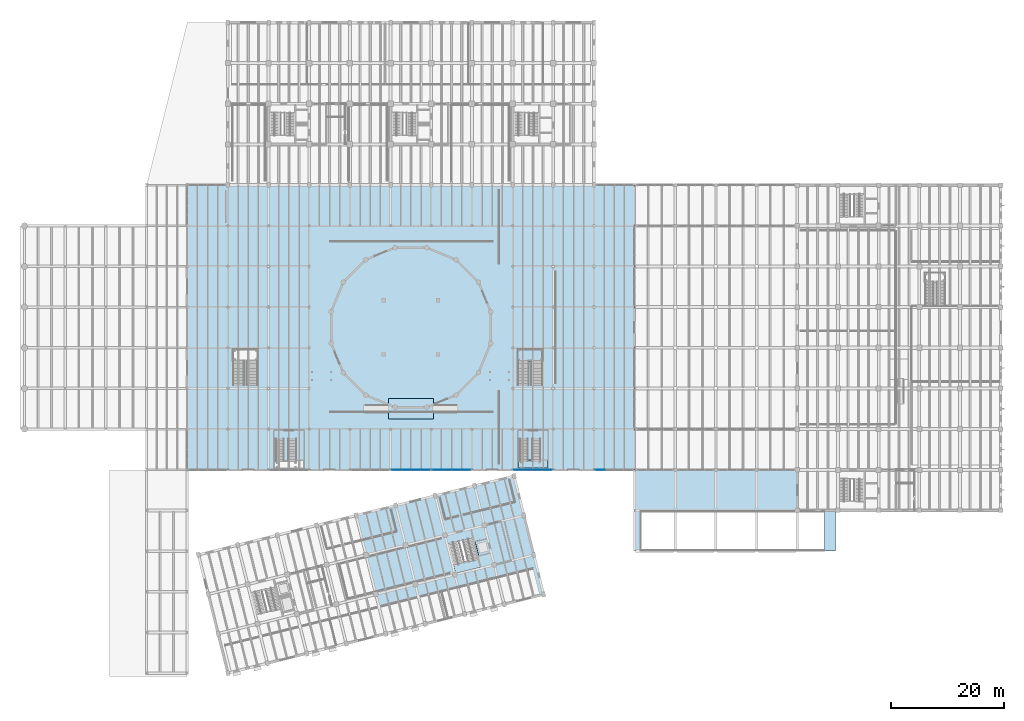
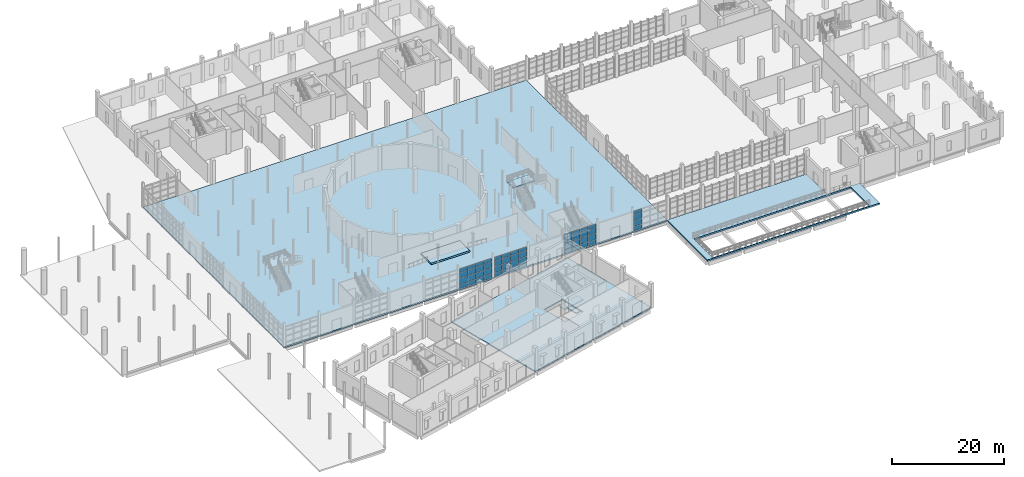
# One storey, part 51 of 79: 52 plates, 8 slabs, 7 elements without a shape of their own.
"""IFC4 building model written with IfcOpenShell, lengths in metres."""

from ifc_helpers import new_model, si_unit, direction, frame, frame_2d, origin, place, context, subcontext, project, spatial, polyline, rectangle, outline, extrude, material, layer, layer_set, type_object, element, aggregate, save


model = new_model("IFC4")

# Units and contexts
model_context = context("Model", 3, precision=1e-05, world=origin(), true_north=direction((0.0, 1.0)))
body_context = subcontext(model_context, "Body", "Model", "MODEL_VIEW")
ifc_project = project(units=[si_unit("LENGTHUNIT", "METRE"), si_unit("AREAUNIT", "SQUARE_METRE"), si_unit("VOLUMEUNIT", "CUBIC_METRE"), si_unit("PLANEANGLEUNIT", "RADIAN"), si_unit("MASSUNIT", "GRAM", prefix="KILO")], contexts=[model_context])

# Site, building, storey
site_placement = place(None, origin())
site = spatial("IfcSite", under=ifc_project, at=site_placement, CompositionType="ELEMENT")
building_placement = place(site_placement, origin())
building = spatial("IfcBuilding", under=site, at=building_placement, Name="Qiaolan Assembly House", CompositionType="ELEMENT")
storey_placement = place(building_placement, origin())
storey = spatial("IfcBuildingStorey", under=building, at=storey_placement, Name="L00", CompositionType="ELEMENT", Elevation=0.0)

# Curtain wall, plates
ifc_material_1 = material(Name="Anodised bronze aluminium", Category="aluminium")
curtain_wall_type = type_object("IfcCurtainWallType", Name="CW-HALL-MAIN-540", PredefinedType="NOTDEFINED", material=ifc_material_1)
curtain_wall_1_placement = place(storey_placement, origin())
curtain_wall_1 = element("IfcCurtainWall", 1, at=curtain_wall_1_placement, inside=storey, type_object=curtain_wall_type, Name="CW-01 Hall South plaza curtain wall L00-6", PredefinedType="NOTDEFINED")
ifc_material_2 = material(Name="Low-E double insulating glass", Category="glass")
ifc_layer_1 = layer(ifc_material_2, 0.035888671875)
ifc_layer_set_1 = layer_set([ifc_layer_1], Name="Low-E double insulating glass")
plate_type = type_object("IfcPlateType", Name="CW-HALL-MAIN-540-PNL", PredefinedType="CURTAIN_PANEL", material=ifc_layer_set_1)
plate_1_placement = place(storey_placement, frame((65.087890625, 36.0, 0.06298828125), z_axis=(0.0, 0.0, 1.0), x_axis=(1.0, 0.0, 0.0)))
plate_1 = element("IfcPlate", 2, at=plate_1_placement, type_object=plate_type, Name="GL-01 glazing panel CW-HALL-S-L00-05-1", PredefinedType="CURTAIN_PANEL", context=body_context, shape_type="SweptSolid", body=[
    extrude(rectangle(XDim=1.59912109375, YDim=0.035888671875, at=frame_2d((0.799560546875, 0.0))), origin(), (0.0, 0.0, 1.0), 0.85400390625),
])
plate_2_placement = place(storey_placement, frame((65.087890625, 36.0, 0.98291015625), z_axis=(0.0, 0.0, 1.0), x_axis=(1.0, 0.0, 0.0)))
plate_2 = element("IfcPlate", 3, at=plate_2_placement, type_object=plate_type, Name="GL-01 glazing panel CW-HALL-S-L00-05-2", PredefinedType="CURTAIN_PANEL", context=body_context, shape_type="SweptSolid", body=[
    extrude(rectangle(XDim=1.59912109375, YDim=0.035888671875, at=frame_2d((0.799560546875, 0.0))), origin(), (0.0, 0.0, 1.0), 1.27197265625),
])
plate_3_placement = place(storey_placement, frame((65.087890625, 36.0, 2.321044921875), z_axis=(0.0, 0.0, 1.0), x_axis=(1.0, 0.0, 0.0)))
plate_3 = element("IfcPlate", 4, at=plate_3_placement, type_object=plate_type, Name="GL-01 glazing panel CW-HALL-S-L00-05-3", PredefinedType="CURTAIN_PANEL", context=body_context, shape_type="SweptSolid", body=[
    extrude(rectangle(XDim=1.59912109375, YDim=0.035888671875, at=frame_2d((0.799560546875, 0.0))), origin(), (0.0, 0.0, 1.0), 1.196044921875),
])
plate_4_placement = place(storey_placement, frame((65.087890625, 36.0, 3.5830078125), z_axis=(0.0, 0.0, 1.0), x_axis=(1.0, 0.0, 0.0)))
plate_4 = element("IfcPlate", 5, at=plate_4_placement, type_object=plate_type, Name="GL-01 glazing panel CW-HALL-S-L00-05-4", PredefinedType="CURTAIN_PANEL", context=body_context, shape_type="SweptSolid", body=[
    extrude(rectangle(XDim=1.59912109375, YDim=0.035888671875, at=frame_2d((0.799560546875, 0.0))), origin(), (0.0, 0.0, 1.0), 0.75390625),
])
plate_5_placement = place(storey_placement, frame((66.762939453125, 36.0, 0.06298828125), z_axis=(0.0, 0.0, 1.0), x_axis=(1.0, 0.0, 0.0)))
plate_5 = element("IfcPlate", 6, at=plate_5_placement, type_object=plate_type, Name="GL-01 glazing panel CW-HALL-S-L00-05-5", PredefinedType="CURTAIN_PANEL", context=body_context, shape_type="SweptSolid", body=[
    extrude(rectangle(XDim=1.59912109375, YDim=0.035888671875, at=frame_2d((0.799560546875, 0.0))), origin(), (0.0, 0.0, 1.0), 0.85400390625),
])
plate_6_placement = place(storey_placement, frame((66.762939453125, 36.0, 0.98291015625), z_axis=(0.0, 0.0, 1.0), x_axis=(1.0, 0.0, 0.0)))
plate_6 = element("IfcPlate", 7, at=plate_6_placement, type_object=plate_type, Name="GL-01 glazing panel CW-HALL-S-L00-05-6", PredefinedType="CURTAIN_PANEL", context=body_context, shape_type="SweptSolid", body=[
    extrude(rectangle(XDim=1.59912109375, YDim=0.035888671875, at=frame_2d((0.799560546875, 0.0))), origin(), (0.0, 0.0, 1.0), 1.27197265625),
])
plate_7_placement = place(storey_placement, frame((66.762939453125, 36.0, 2.321044921875), z_axis=(0.0, 0.0, 1.0), x_axis=(1.0, 0.0, 0.0)))
plate_7 = element("IfcPlate", 8, at=plate_7_placement, type_object=plate_type, Name="GL-01 glazing panel CW-HALL-S-L00-05-7", PredefinedType="CURTAIN_PANEL", context=body_context, shape_type="SweptSolid", body=[
    extrude(rectangle(XDim=1.59912109375, YDim=0.035888671875, at=frame_2d((0.799560546875, 0.0))), origin(), (0.0, 0.0, 1.0), 1.196044921875),
])
plate_8_placement = place(storey_placement, frame((66.762939453125, 36.0, 3.5830078125), z_axis=(0.0, 0.0, 1.0), x_axis=(1.0, 0.0, 0.0)))
plate_8 = element("IfcPlate", 9, at=plate_8_placement, type_object=plate_type, Name="GL-01 glazing panel CW-HALL-S-L00-05-8", PredefinedType="CURTAIN_PANEL", context=body_context, shape_type="SweptSolid", body=[
    extrude(rectangle(XDim=1.59912109375, YDim=0.035888671875, at=frame_2d((0.799560546875, 0.0))), origin(), (0.0, 0.0, 1.0), 0.75390625),
])
plate_9_placement = place(storey_placement, frame((68.43798828125, 36.0, 0.06298828125), z_axis=(0.0, 0.0, 1.0), x_axis=(1.0, 0.0, 0.0)))
plate_9 = element("IfcPlate", 10, at=plate_9_placement, type_object=plate_type, Name="GL-01 glazing panel CW-HALL-S-L00-05-9", PredefinedType="CURTAIN_PANEL", context=body_context, shape_type="SweptSolid", body=[
    extrude(rectangle(XDim=1.59912109375, YDim=0.035888671875, at=frame_2d((0.799560546875, 0.0))), origin(), (0.0, 0.0, 1.0), 0.85400390625),
])
plate_10_placement = place(storey_placement, frame((68.43798828125, 36.0, 0.98291015625), z_axis=(0.0, 0.0, 1.0), x_axis=(1.0, 0.0, 0.0)))
plate_10 = element("IfcPlate", 11, at=plate_10_placement, type_object=plate_type, Name="GL-01 glazing panel CW-HALL-S-L00-05-10", PredefinedType="CURTAIN_PANEL", context=body_context, shape_type="SweptSolid", body=[
    extrude(rectangle(XDim=1.59912109375, YDim=0.035888671875, at=frame_2d((0.799560546875, 0.0))), origin(), (0.0, 0.0, 1.0), 1.27197265625),
])
plate_11_placement = place(storey_placement, frame((68.43798828125, 36.0, 2.321044921875), z_axis=(0.0, 0.0, 1.0), x_axis=(1.0, 0.0, 0.0)))
plate_11 = element("IfcPlate", 12, at=plate_11_placement, type_object=plate_type, Name="GL-01 glazing panel CW-HALL-S-L00-05-11", PredefinedType="CURTAIN_PANEL", context=body_context, shape_type="SweptSolid", body=[
    extrude(rectangle(XDim=1.59912109375, YDim=0.035888671875, at=frame_2d((0.799560546875, 0.0))), origin(), (0.0, 0.0, 1.0), 1.196044921875),
])
plate_12_placement = place(storey_placement, frame((68.43798828125, 36.0, 3.5830078125), z_axis=(0.0, 0.0, 1.0), x_axis=(1.0, 0.0, 0.0)))
plate_12 = element("IfcPlate", 13, at=plate_12_placement, type_object=plate_type, Name="GL-01 glazing panel CW-HALL-S-L00-05-12", PredefinedType="CURTAIN_PANEL", context=body_context, shape_type="SweptSolid", body=[
    extrude(rectangle(XDim=1.59912109375, YDim=0.035888671875, at=frame_2d((0.799560546875, 0.0))), origin(), (0.0, 0.0, 1.0), 0.75390625),
])
plate_13_placement = place(storey_placement, frame((70.113037109375, 36.0, 0.06298828125), z_axis=(0.0, 0.0, 1.0), x_axis=(1.0, 0.0, 0.0)))
plate_13 = element("IfcPlate", 14, at=plate_13_placement, type_object=plate_type, Name="GL-01 glazing panel CW-HALL-S-L00-05-13", PredefinedType="CURTAIN_PANEL", context=body_context, shape_type="SweptSolid", body=[
    extrude(rectangle(XDim=1.598876953125, YDim=0.035888671875, at=frame_2d((0.79931640625, 0.0))), origin(), (0.0, 0.0, 1.0), 0.85400390625),
])
plate_14_placement = place(storey_placement, frame((70.113037109375, 36.0, 0.98291015625), z_axis=(0.0, 0.0, 1.0), x_axis=(1.0, 0.0, 0.0)))
plate_14 = element("IfcPlate", 15, at=plate_14_placement, type_object=plate_type, Name="GL-01 glazing panel CW-HALL-S-L00-05-14", PredefinedType="CURTAIN_PANEL", context=body_context, shape_type="SweptSolid", body=[
    extrude(rectangle(XDim=1.598876953125, YDim=0.035888671875, at=frame_2d((0.79931640625, 0.0))), origin(), (0.0, 0.0, 1.0), 1.27197265625),
])
plate_15_placement = place(storey_placement, frame((70.113037109375, 36.0, 2.321044921875), z_axis=(0.0, 0.0, 1.0), x_axis=(1.0, 0.0, 0.0)))
plate_15 = element("IfcPlate", 16, at=plate_15_placement, type_object=plate_type, Name="GL-01 glazing panel CW-HALL-S-L00-05-15", PredefinedType="CURTAIN_PANEL", context=body_context, shape_type="SweptSolid", body=[
    extrude(rectangle(XDim=1.598876953125, YDim=0.035888671875, at=frame_2d((0.79931640625, 0.0))), origin(), (0.0, 0.0, 1.0), 1.196044921875),
])
plate_16_placement = place(storey_placement, frame((70.113037109375, 36.0, 3.5830078125), z_axis=(0.0, 0.0, 1.0), x_axis=(1.0, 0.0, 0.0)))
plate_16 = element("IfcPlate", 17, at=plate_16_placement, type_object=plate_type, Name="GL-01 glazing panel CW-HALL-S-L00-05-16", PredefinedType="CURTAIN_PANEL", context=body_context, shape_type="SweptSolid", body=[
    extrude(rectangle(XDim=1.598876953125, YDim=0.035888671875, at=frame_2d((0.79931640625, 0.0))), origin(), (0.0, 0.0, 1.0), 0.75390625),
])
aggregate(curtain_wall_1, [plate_1, plate_2, plate_3, plate_4, plate_5, plate_6, plate_7, plate_8, plate_9, plate_10, plate_11, plate_12, plate_13, plate_14, plate_15, plate_16])

curtain_wall_2_placement = place(storey_placement, origin())
curtain_wall_2 = element("IfcCurtainWall", 18, at=curtain_wall_2_placement, inside=storey, type_object=curtain_wall_type, Name="CW-01 Hall South plaza curtain wall L00-7", PredefinedType="NOTDEFINED")
plate_17_placement = place(storey_placement, frame((72.2880859375, 36.0, 0.06298828125), z_axis=(0.0, 0.0, 1.0), x_axis=(1.0, 0.0, 0.0)))
plate_17 = element("IfcPlate", 19, at=plate_17_placement, type_object=plate_type, Name="GL-01 glazing panel CW-HALL-S-L00-06-1", PredefinedType="CURTAIN_PANEL", context=body_context, shape_type="SweptSolid", body=[
    extrude(rectangle(XDim=1.598876953125, YDim=0.035888671875, at=frame_2d((0.79931640625, 0.0))), origin(), (0.0, 0.0, 1.0), 0.85400390625),
])
plate_18_placement = place(storey_placement, frame((72.2880859375, 36.0, 0.98291015625), z_axis=(0.0, 0.0, 1.0), x_axis=(1.0, 0.0, 0.0)))
plate_18 = element("IfcPlate", 20, at=plate_18_placement, type_object=plate_type, Name="GL-01 glazing panel CW-HALL-S-L00-06-2", PredefinedType="CURTAIN_PANEL", context=body_context, shape_type="SweptSolid", body=[
    extrude(rectangle(XDim=1.598876953125, YDim=0.035888671875, at=frame_2d((0.79931640625, 0.0))), origin(), (0.0, 0.0, 1.0), 1.27197265625),
])
plate_19_placement = place(storey_placement, frame((72.2880859375, 36.0, 2.321044921875), z_axis=(0.0, 0.0, 1.0), x_axis=(1.0, 0.0, 0.0)))
plate_19 = element("IfcPlate", 21, at=plate_19_placement, type_object=plate_type, Name="GL-01 glazing panel CW-HALL-S-L00-06-3", PredefinedType="CURTAIN_PANEL", context=body_context, shape_type="SweptSolid", body=[
    extrude(rectangle(XDim=1.598876953125, YDim=0.035888671875, at=frame_2d((0.79931640625, 0.0))), origin(), (0.0, 0.0, 1.0), 1.196044921875),
])
plate_20_placement = place(storey_placement, frame((72.2880859375, 36.0, 3.5830078125), z_axis=(0.0, 0.0, 1.0), x_axis=(1.0, 0.0, 0.0)))
plate_20 = element("IfcPlate", 22, at=plate_20_placement, type_object=plate_type, Name="GL-01 glazing panel CW-HALL-S-L00-06-4", PredefinedType="CURTAIN_PANEL", context=body_context, shape_type="SweptSolid", body=[
    extrude(rectangle(XDim=1.598876953125, YDim=0.035888671875, at=frame_2d((0.79931640625, 0.0))), origin(), (0.0, 0.0, 1.0), 0.75390625),
])
plate_21_placement = place(storey_placement, frame((73.962890625, 36.0, 0.06298828125), z_axis=(0.0, 0.0, 1.0), x_axis=(1.0, 0.0, 0.0)))
plate_21 = element("IfcPlate", 23, at=plate_21_placement, type_object=plate_type, Name="GL-01 glazing panel CW-HALL-S-L00-06-5", PredefinedType="CURTAIN_PANEL", context=body_context, shape_type="SweptSolid", body=[
    extrude(rectangle(XDim=1.59912109375, YDim=0.035888671875, at=frame_2d((0.799560546875, 0.0))), origin(), (0.0, 0.0, 1.0), 0.85400390625),
])
plate_22_placement = place(storey_placement, frame((73.962890625, 36.0, 0.98291015625), z_axis=(0.0, 0.0, 1.0), x_axis=(1.0, 0.0, 0.0)))
plate_22 = element("IfcPlate", 24, at=plate_22_placement, type_object=plate_type, Name="GL-01 glazing panel CW-HALL-S-L00-06-6", PredefinedType="CURTAIN_PANEL", context=body_context, shape_type="SweptSolid", body=[
    extrude(rectangle(XDim=1.59912109375, YDim=0.035888671875, at=frame_2d((0.799560546875, 0.0))), origin(), (0.0, 0.0, 1.0), 1.27197265625),
])
plate_23_placement = place(storey_placement, frame((73.962890625, 36.0, 2.321044921875), z_axis=(0.0, 0.0, 1.0), x_axis=(1.0, 0.0, 0.0)))
plate_23 = element("IfcPlate", 25, at=plate_23_placement, type_object=plate_type, Name="GL-01 glazing panel CW-HALL-S-L00-06-7", PredefinedType="CURTAIN_PANEL", context=body_context, shape_type="SweptSolid", body=[
    extrude(rectangle(XDim=1.59912109375, YDim=0.035888671875, at=frame_2d((0.799560546875, 0.0))), origin(), (0.0, 0.0, 1.0), 1.196044921875),
])
plate_24_placement = place(storey_placement, frame((73.962890625, 36.0, 3.5830078125), z_axis=(0.0, 0.0, 1.0), x_axis=(1.0, 0.0, 0.0)))
plate_24 = element("IfcPlate", 26, at=plate_24_placement, type_object=plate_type, Name="GL-01 glazing panel CW-HALL-S-L00-06-8", PredefinedType="CURTAIN_PANEL", context=body_context, shape_type="SweptSolid", body=[
    extrude(rectangle(XDim=1.59912109375, YDim=0.035888671875, at=frame_2d((0.799560546875, 0.0))), origin(), (0.0, 0.0, 1.0), 0.75390625),
])
plate_25_placement = place(storey_placement, frame((75.637939453125, 36.0, 0.06298828125), z_axis=(0.0, 0.0, 1.0), x_axis=(1.0, 0.0, 0.0)))
plate_25 = element("IfcPlate", 27, at=plate_25_placement, type_object=plate_type, Name="GL-01 glazing panel CW-HALL-S-L00-06-9", PredefinedType="CURTAIN_PANEL", context=body_context, shape_type="SweptSolid", body=[
    extrude(rectangle(XDim=1.59912109375, YDim=0.035888671875, at=frame_2d((0.799560546875, 0.0))), origin(), (0.0, 0.0, 1.0), 0.85400390625),
])
plate_26_placement = place(storey_placement, frame((75.637939453125, 36.0, 0.98291015625), z_axis=(0.0, 0.0, 1.0), x_axis=(1.0, 0.0, 0.0)))
plate_26 = element("IfcPlate", 28, at=plate_26_placement, type_object=plate_type, Name="GL-01 glazing panel CW-HALL-S-L00-06-10", PredefinedType="CURTAIN_PANEL", context=body_context, shape_type="SweptSolid", body=[
    extrude(rectangle(XDim=1.59912109375, YDim=0.035888671875, at=frame_2d((0.799560546875, 0.0))), origin(), (0.0, 0.0, 1.0), 1.27197265625),
])
plate_27_placement = place(storey_placement, frame((75.637939453125, 36.0, 2.321044921875), z_axis=(0.0, 0.0, 1.0), x_axis=(1.0, 0.0, 0.0)))
plate_27 = element("IfcPlate", 29, at=plate_27_placement, type_object=plate_type, Name="GL-01 glazing panel CW-HALL-S-L00-06-11", PredefinedType="CURTAIN_PANEL", context=body_context, shape_type="SweptSolid", body=[
    extrude(rectangle(XDim=1.59912109375, YDim=0.035888671875, at=frame_2d((0.799560546875, 0.0))), origin(), (0.0, 0.0, 1.0), 1.196044921875),
])
plate_28_placement = place(storey_placement, frame((75.637939453125, 36.0, 3.5830078125), z_axis=(0.0, 0.0, 1.0), x_axis=(1.0, 0.0, 0.0)))
plate_28 = element("IfcPlate", 30, at=plate_28_placement, type_object=plate_type, Name="GL-01 glazing panel CW-HALL-S-L00-06-12", PredefinedType="CURTAIN_PANEL", context=body_context, shape_type="SweptSolid", body=[
    extrude(rectangle(XDim=1.59912109375, YDim=0.035888671875, at=frame_2d((0.799560546875, 0.0))), origin(), (0.0, 0.0, 1.0), 0.75390625),
])
plate_29_placement = place(storey_placement, frame((77.31298828125, 36.0, 0.06298828125), z_axis=(0.0, 0.0, 1.0), x_axis=(1.0, 0.0, 0.0)))
plate_29 = element("IfcPlate", 31, at=plate_29_placement, type_object=plate_type, Name="GL-01 glazing panel CW-HALL-S-L00-06-13", PredefinedType="CURTAIN_PANEL", context=body_context, shape_type="SweptSolid", body=[
    extrude(rectangle(XDim=1.59912109375, YDim=0.035888671875, at=frame_2d((0.799560546875, 0.0))), origin(), (0.0, 0.0, 1.0), 0.85400390625),
])
plate_30_placement = place(storey_placement, frame((77.31298828125, 36.0, 0.98291015625), z_axis=(0.0, 0.0, 1.0), x_axis=(1.0, 0.0, 0.0)))
plate_30 = element("IfcPlate", 32, at=plate_30_placement, type_object=plate_type, Name="GL-01 glazing panel CW-HALL-S-L00-06-14", PredefinedType="CURTAIN_PANEL", context=body_context, shape_type="SweptSolid", body=[
    extrude(rectangle(XDim=1.59912109375, YDim=0.035888671875, at=frame_2d((0.799560546875, 0.0))), origin(), (0.0, 0.0, 1.0), 1.27197265625),
])
plate_31_placement = place(storey_placement, frame((77.31298828125, 36.0, 2.321044921875), z_axis=(0.0, 0.0, 1.0), x_axis=(1.0, 0.0, 0.0)))
plate_31 = element("IfcPlate", 33, at=plate_31_placement, type_object=plate_type, Name="GL-01 glazing panel CW-HALL-S-L00-06-15", PredefinedType="CURTAIN_PANEL", context=body_context, shape_type="SweptSolid", body=[
    extrude(rectangle(XDim=1.59912109375, YDim=0.035888671875, at=frame_2d((0.799560546875, 0.0))), origin(), (0.0, 0.0, 1.0), 1.196044921875),
])
plate_32_placement = place(storey_placement, frame((77.31298828125, 36.0, 3.5830078125), z_axis=(0.0, 0.0, 1.0), x_axis=(1.0, 0.0, 0.0)))
plate_32 = element("IfcPlate", 34, at=plate_32_placement, type_object=plate_type, Name="GL-01 glazing panel CW-HALL-S-L00-06-16", PredefinedType="CURTAIN_PANEL", context=body_context, shape_type="SweptSolid", body=[
    extrude(rectangle(XDim=1.59912109375, YDim=0.035888671875, at=frame_2d((0.799560546875, 0.0))), origin(), (0.0, 0.0, 1.0), 0.75390625),
])
aggregate(curtain_wall_2, [plate_17, plate_18, plate_19, plate_20, plate_21, plate_22, plate_23, plate_24, plate_25, plate_26, plate_27, plate_28, plate_29, plate_30, plate_31, plate_32])

curtain_wall_3_placement = place(storey_placement, origin())
curtain_wall_3 = element("IfcCurtainWall", 35, at=curtain_wall_3_placement, inside=storey, type_object=curtain_wall_type, Name="CW-01 Hall South plaza curtain wall L00-9", PredefinedType="NOTDEFINED")
plate_33_placement = place(storey_placement, frame((86.68798828125, 36.0, 0.06298828125), z_axis=(0.0, 0.0, 1.0), x_axis=(1.0, 0.0, 0.0)))
plate_33 = element("IfcPlate", 36, at=plate_33_placement, type_object=plate_type, Name="GL-01 glazing panel CW-HALL-S-L00-08-1", PredefinedType="CURTAIN_PANEL", context=body_context, shape_type="SweptSolid", body=[
    extrude(rectangle(XDim=1.59912109375, YDim=0.035888671875, at=frame_2d((0.799560546875, 0.0))), origin(), (0.0, 0.0, 1.0), 0.85400390625),
])
plate_34_placement = place(storey_placement, frame((86.68798828125, 36.0, 0.98291015625), z_axis=(0.0, 0.0, 1.0), x_axis=(1.0, 0.0, 0.0)))
plate_34 = element("IfcPlate", 37, at=plate_34_placement, type_object=plate_type, Name="GL-01 glazing panel CW-HALL-S-L00-08-2", PredefinedType="CURTAIN_PANEL", context=body_context, shape_type="SweptSolid", body=[
    extrude(rectangle(XDim=1.59912109375, YDim=0.035888671875, at=frame_2d((0.799560546875, 0.0))), origin(), (0.0, 0.0, 1.0), 1.27197265625),
])
plate_35_placement = place(storey_placement, frame((86.68798828125, 36.0, 2.321044921875), z_axis=(0.0, 0.0, 1.0), x_axis=(1.0, 0.0, 0.0)))
plate_35 = element("IfcPlate", 38, at=plate_35_placement, type_object=plate_type, Name="GL-01 glazing panel CW-HALL-S-L00-08-3", PredefinedType="CURTAIN_PANEL", context=body_context, shape_type="SweptSolid", body=[
    extrude(rectangle(XDim=1.59912109375, YDim=0.035888671875, at=frame_2d((0.799560546875, 0.0))), origin(), (0.0, 0.0, 1.0), 1.196044921875),
])
plate_36_placement = place(storey_placement, frame((86.68798828125, 36.0, 3.5830078125), z_axis=(0.0, 0.0, 1.0), x_axis=(1.0, 0.0, 0.0)))
plate_36 = element("IfcPlate", 39, at=plate_36_placement, type_object=plate_type, Name="GL-01 glazing panel CW-HALL-S-L00-08-4", PredefinedType="CURTAIN_PANEL", context=body_context, shape_type="SweptSolid", body=[
    extrude(rectangle(XDim=1.59912109375, YDim=0.035888671875, at=frame_2d((0.799560546875, 0.0))), origin(), (0.0, 0.0, 1.0), 0.75390625),
])
plate_37_placement = place(storey_placement, frame((88.363037109375, 36.0, 0.06298828125), z_axis=(0.0, 0.0, 1.0), x_axis=(1.0, 0.0, 0.0)))
plate_37 = element("IfcPlate", 40, at=plate_37_placement, type_object=plate_type, Name="GL-01 glazing panel CW-HALL-S-L00-08-5", PredefinedType="CURTAIN_PANEL", context=body_context, shape_type="SweptSolid", body=[
    extrude(rectangle(XDim=1.598876953125, YDim=0.035888671875, at=frame_2d((0.79931640625, 0.0))), origin(), (0.0, 0.0, 1.0), 0.85400390625),
])
plate_38_placement = place(storey_placement, frame((88.363037109375, 36.0, 0.98291015625), z_axis=(0.0, 0.0, 1.0), x_axis=(1.0, 0.0, 0.0)))
plate_38 = element("IfcPlate", 41, at=plate_38_placement, type_object=plate_type, Name="GL-01 glazing panel CW-HALL-S-L00-08-6", PredefinedType="CURTAIN_PANEL", context=body_context, shape_type="SweptSolid", body=[
    extrude(rectangle(XDim=1.598876953125, YDim=0.035888671875, at=frame_2d((0.79931640625, 0.0))), origin(), (0.0, 0.0, 1.0), 1.27197265625),
])
plate_39_placement = place(storey_placement, frame((88.363037109375, 36.0, 2.321044921875), z_axis=(0.0, 0.0, 1.0), x_axis=(1.0, 0.0, 0.0)))
plate_39 = element("IfcPlate", 42, at=plate_39_placement, type_object=plate_type, Name="GL-01 glazing panel CW-HALL-S-L00-08-7", PredefinedType="CURTAIN_PANEL", context=body_context, shape_type="SweptSolid", body=[
    extrude(rectangle(XDim=1.598876953125, YDim=0.035888671875, at=frame_2d((0.79931640625, 0.0))), origin(), (0.0, 0.0, 1.0), 1.196044921875),
])
plate_40_placement = place(storey_placement, frame((88.363037109375, 36.0, 3.5830078125), z_axis=(0.0, 0.0, 1.0), x_axis=(1.0, 0.0, 0.0)))
plate_40 = element("IfcPlate", 43, at=plate_40_placement, type_object=plate_type, Name="GL-01 glazing panel CW-HALL-S-L00-08-8", PredefinedType="CURTAIN_PANEL", context=body_context, shape_type="SweptSolid", body=[
    extrude(rectangle(XDim=1.598876953125, YDim=0.035888671875, at=frame_2d((0.79931640625, 0.0))), origin(), (0.0, 0.0, 1.0), 0.75390625),
])
plate_41_placement = place(storey_placement, frame((90.0380859375, 36.0, 0.06298828125), z_axis=(0.0, 0.0, 1.0), x_axis=(1.0, 0.0, 0.0)))
plate_41 = element("IfcPlate", 44, at=plate_41_placement, type_object=plate_type, Name="GL-01 glazing panel CW-HALL-S-L00-08-9", PredefinedType="CURTAIN_PANEL", context=body_context, shape_type="SweptSolid", body=[
    extrude(rectangle(XDim=1.598876953125, YDim=0.035888671875, at=frame_2d((0.79931640625, 0.0))), origin(), (0.0, 0.0, 1.0), 0.85400390625),
])
plate_42_placement = place(storey_placement, frame((90.0380859375, 36.0, 0.98291015625), z_axis=(0.0, 0.0, 1.0), x_axis=(1.0, 0.0, 0.0)))
plate_42 = element("IfcPlate", 45, at=plate_42_placement, type_object=plate_type, Name="GL-01 glazing panel CW-HALL-S-L00-08-10", PredefinedType="CURTAIN_PANEL", context=body_context, shape_type="SweptSolid", body=[
    extrude(rectangle(XDim=1.598876953125, YDim=0.035888671875, at=frame_2d((0.79931640625, 0.0))), origin(), (0.0, 0.0, 1.0), 1.27197265625),
])
plate_43_placement = place(storey_placement, frame((90.0380859375, 36.0, 2.321044921875), z_axis=(0.0, 0.0, 1.0), x_axis=(1.0, 0.0, 0.0)))
plate_43 = element("IfcPlate", 46, at=plate_43_placement, type_object=plate_type, Name="GL-01 glazing panel CW-HALL-S-L00-08-11", PredefinedType="CURTAIN_PANEL", context=body_context, shape_type="SweptSolid", body=[
    extrude(rectangle(XDim=1.598876953125, YDim=0.035888671875, at=frame_2d((0.79931640625, 0.0))), origin(), (0.0, 0.0, 1.0), 1.196044921875),
])
plate_44_placement = place(storey_placement, frame((90.0380859375, 36.0, 3.5830078125), z_axis=(0.0, 0.0, 1.0), x_axis=(1.0, 0.0, 0.0)))
plate_44 = element("IfcPlate", 47, at=plate_44_placement, type_object=plate_type, Name="GL-01 glazing panel CW-HALL-S-L00-08-12", PredefinedType="CURTAIN_PANEL", context=body_context, shape_type="SweptSolid", body=[
    extrude(rectangle(XDim=1.598876953125, YDim=0.035888671875, at=frame_2d((0.79931640625, 0.0))), origin(), (0.0, 0.0, 1.0), 0.75390625),
])
plate_45_placement = place(storey_placement, frame((91.712890625, 36.0, 0.06298828125), z_axis=(0.0, 0.0, 1.0), x_axis=(1.0, 0.0, 0.0)))
plate_45 = element("IfcPlate", 48, at=plate_45_placement, type_object=plate_type, Name="GL-01 glazing panel CW-HALL-S-L00-08-13", PredefinedType="CURTAIN_PANEL", context=body_context, shape_type="SweptSolid", body=[
    extrude(rectangle(XDim=1.59912109375, YDim=0.035888671875, at=frame_2d((0.799560546875, 0.0))), origin(), (0.0, 0.0, 1.0), 0.85400390625),
])
plate_46_placement = place(storey_placement, frame((91.712890625, 36.0, 0.98291015625), z_axis=(0.0, 0.0, 1.0), x_axis=(1.0, 0.0, 0.0)))
plate_46 = element("IfcPlate", 49, at=plate_46_placement, type_object=plate_type, Name="GL-01 glazing panel CW-HALL-S-L00-08-14", PredefinedType="CURTAIN_PANEL", context=body_context, shape_type="SweptSolid", body=[
    extrude(rectangle(XDim=1.59912109375, YDim=0.035888671875, at=frame_2d((0.799560546875, 0.0))), origin(), (0.0, 0.0, 1.0), 1.27197265625),
])
plate_47_placement = place(storey_placement, frame((91.712890625, 36.0, 2.321044921875), z_axis=(0.0, 0.0, 1.0), x_axis=(1.0, 0.0, 0.0)))
plate_47 = element("IfcPlate", 50, at=plate_47_placement, type_object=plate_type, Name="GL-01 glazing panel CW-HALL-S-L00-08-15", PredefinedType="CURTAIN_PANEL", context=body_context, shape_type="SweptSolid", body=[
    extrude(rectangle(XDim=1.59912109375, YDim=0.035888671875, at=frame_2d((0.799560546875, 0.0))), origin(), (0.0, 0.0, 1.0), 1.196044921875),
])
plate_48_placement = place(storey_placement, frame((91.712890625, 36.0, 3.5830078125), z_axis=(0.0, 0.0, 1.0), x_axis=(1.0, 0.0, 0.0)))
plate_48 = element("IfcPlate", 51, at=plate_48_placement, type_object=plate_type, Name="GL-01 glazing panel CW-HALL-S-L00-08-16", PredefinedType="CURTAIN_PANEL", context=body_context, shape_type="SweptSolid", body=[
    extrude(rectangle(XDim=1.59912109375, YDim=0.035888671875, at=frame_2d((0.799560546875, 0.0))), origin(), (0.0, 0.0, 1.0), 0.75390625),
])
aggregate(curtain_wall_3, [plate_33, plate_34, plate_35, plate_36, plate_37, plate_38, plate_39, plate_40, plate_41, plate_42, plate_43, plate_44, plate_45, plate_46, plate_47, plate_48])

curtain_wall_4_placement = place(storey_placement, origin())
curtain_wall_4 = element("IfcCurtainWall", 52, at=curtain_wall_4_placement, inside=storey, type_object=curtain_wall_type, Name="CW-01 Hall South plaza curtain wall L00-11", PredefinedType="NOTDEFINED")
plate_49_placement = place(storey_placement, frame((101.087890625, 36.0, 0.06298828125), z_axis=(0.0, 0.0, 1.0), x_axis=(1.0, 0.0, 0.0)))
plate_49 = element("IfcPlate", 53, at=plate_49_placement, type_object=plate_type, Name="GL-01 glazing panel CW-HALL-S-L00-10-1", PredefinedType="CURTAIN_PANEL", context=body_context, shape_type="SweptSolid", body=[
    extrude(rectangle(XDim=1.59912109375, YDim=0.035888671875, at=frame_2d((0.799560546875, 0.0))), origin(), (0.0, 0.0, 1.0), 0.85400390625),
])
plate_50_placement = place(storey_placement, frame((101.087890625, 36.0, 0.98291015625), z_axis=(0.0, 0.0, 1.0), x_axis=(1.0, 0.0, 0.0)))
plate_50 = element("IfcPlate", 54, at=plate_50_placement, type_object=plate_type, Name="GL-01 glazing panel CW-HALL-S-L00-10-2", PredefinedType="CURTAIN_PANEL", context=body_context, shape_type="SweptSolid", body=[
    extrude(rectangle(XDim=1.59912109375, YDim=0.035888671875, at=frame_2d((0.799560546875, 0.0))), origin(), (0.0, 0.0, 1.0), 1.27197265625),
])
plate_51_placement = place(storey_placement, frame((101.087890625, 36.0, 2.321044921875), z_axis=(0.0, 0.0, 1.0), x_axis=(1.0, 0.0, 0.0)))
plate_51 = element("IfcPlate", 55, at=plate_51_placement, type_object=plate_type, Name="GL-01 glazing panel CW-HALL-S-L00-10-3", PredefinedType="CURTAIN_PANEL", context=body_context, shape_type="SweptSolid", body=[
    extrude(rectangle(XDim=1.59912109375, YDim=0.035888671875, at=frame_2d((0.799560546875, 0.0))), origin(), (0.0, 0.0, 1.0), 1.196044921875),
])
plate_52_placement = place(storey_placement, frame((101.087890625, 36.0, 3.5830078125), z_axis=(0.0, 0.0, 1.0), x_axis=(1.0, 0.0, 0.0)))
plate_52 = element("IfcPlate", 56, at=plate_52_placement, type_object=plate_type, Name="GL-01 glazing panel CW-HALL-S-L00-10-4", PredefinedType="CURTAIN_PANEL", context=body_context, shape_type="SweptSolid", body=[
    extrude(rectangle(XDim=1.59912109375, YDim=0.035888671875, at=frame_2d((0.799560546875, 0.0))), origin(), (0.0, 0.0, 1.0), 0.75390625),
])
aggregate(curtain_wall_4, [plate_49, plate_50, plate_51, plate_52])

# Slabs
ifc_material_3 = material(Name="Concrete C40/50", Category="concrete")
ifc_layer_2 = layer(ifc_material_3, 0.25)
ifc_layer_set_2 = layer_set([ifc_layer_2], Name="Concrete C40/50")
slab_type_1 = type_object("IfcSlabType", Name="SLB-COMM-250", PredefinedType="FLOOR", material=ifc_layer_set_2)
slab_1_placement = place(storey_placement, frame((0.0, 0.0, -0.25)))
element("IfcSlab", 57, at=slab_1_placement, inside=storey, type_object=slab_type_1, Name="FS-01 South-East Splayed Wing East Plate L00", PredefinedType="FLOOR", context=body_context, shape_type="SweptSolid", body=[
    extrude(outline(polyline([(63.944580078125, 6.96728515625), (91.888916015625, 13.934814453125), (86.66357421875, 34.89306640625), (58.718994140625, 27.92578125), (63.944580078125, 6.96728515625)]), holes=[polyline([(75.0263671875, 22.87060546875), (79.373291015625, 23.95458984375), (80.66748046875, 18.763427734375), (76.320556640625, 17.6796875), (75.0263671875, 22.87060546875)])]), origin(), (0.0, 0.0, 1.0), 0.25),
])
slab_2_placement = place(storey_placement, frame((0.0, 0.0, -1.64990234375)))
element("IfcSlab", 58, at=slab_2_placement, inside=storey, type_object=slab_type_1, Name="Lift pit base slab LF-08", PredefinedType="FLOOR", context=body_context, shape_type="SweptSolid", body=[
    extrude(outline(polyline([(80.4091796875, 20.708740234375), (79.756103515625, 23.32861328125), (81.84228515625, 23.8486328125), (82.495361328125, 21.228759765625), (80.4091796875, 20.708740234375)])), origin(), (0.0, 0.0, 1.0), 0.25),
])
ifc_material_4 = material(Name="Concrete C45/55", Category="concrete")
ifc_layer_3 = layer(ifc_material_4, 0.300048828125)
ifc_layer_set_3 = layer_set([ifc_layer_3], Name="Concrete C45/55")
slab_type_2 = type_object("IfcSlabType", Name="SLB-HALL-300", PredefinedType="FLOOR", material=ifc_layer_set_3)
slab_3_placement = place(storey_placement, frame((0.0, 0.0, -0.300048828125)))
element("IfcSlab", 59, at=slab_3_placement, inside=storey, type_object=slab_type_2, Name="FS-02 Central Public Hall Slab L00", PredefinedType="FLOOR", context=body_context, shape_type="SweptSolid", body=[
    extrude(outline(polyline([(28.800048828125, 36.0), (108.0, 36.0), (108.0, 86.39990234375), (28.800048828125, 86.39990234375), (28.800048828125, 36.0)])), origin(), (0.0, 0.0, 1.0), 0.300048828125),
])

# Stair, slab
stair_type_1 = type_object("IfcStairType", Name="STR-PODIUM-540", PredefinedType="THREE_QUARTER_TURN_STAIR", material=ifc_material_3)
stair_1_placement = place(storey_placement, origin())
stair_1 = element("IfcStair", 60, at=stair_1_placement, inside=storey, type_object=stair_type_1, Name="ST-01 enclosed egress stair CORE-D L00", PredefinedType="THREE_QUARTER_TURN_STAIR")
ifc_layer_4 = layer(ifc_material_3, 0.199951171875)
ifc_layer_set_4 = layer_set([ifc_layer_4], Name="Concrete C40/50")
slab_type_3 = type_object("IfcSlabType", Name="SLB-LANDING-200", PredefinedType="LANDING", material=ifc_layer_set_4)
slab_4_placement = place(storey_placement, frame((0.0, 0.0, 2.5)))
slab_4 = element("IfcSlab", 61, at=slab_4_placement, type_object=slab_type_3, Name="Stair landing LND-CORE-D-L00-HL", PredefinedType="LANDING", context=body_context, shape_type="SweptSolid", body=[
    extrude(outline(polyline([(76.30615234375, 17.6552734375), (75.91650390625, 19.217529296875), (80.32177734375, 20.31591796875), (80.711181640625, 18.753662109375), (76.30615234375, 17.6552734375)])), origin(), (0.0, 0.0, 1.0), 0.199951171875),
])
aggregate(stair_1, [slab_4])

stair_type_2 = type_object("IfcStairType", Name="STR-FOYER-540", PredefinedType="HALF_TURN_STAIR", material=ifc_material_3)
stair_2_placement = place(storey_placement, origin())
stair_2 = element("IfcStair", 62, at=stair_2_placement, inside=storey, type_object=stair_type_2, Name="ST-09 Chamber South Foyer Stair ST-F02", PredefinedType="HALF_TURN_STAIR")
slab_5_placement = place(storey_placement, frame((0.0, 0.0, 2.5)))
slab_5 = element("IfcSlab", 63, at=slab_5_placement, type_object=slab_type_3, Name="Stair landing LND-ST-F02-1", PredefinedType="LANDING", context=body_context, shape_type="SweptSolid", body=[
    extrude(outline(polyline([(87.419921875, 36.320068359375), (87.419921875, 37.77001953125), (92.580078125, 37.77001953125), (92.580078125, 36.320068359375), (87.419921875, 36.320068359375)])), origin(), (0.0, 0.0, 1.0), 0.199951171875),
])
aggregate(stair_2, [slab_5])

stair_type_3 = type_object("IfcStairType", Name="STR-CEREMONIAL-540", PredefinedType="DOUBLE_RETURN_STAIR", material=ifc_material_3)
stair_3_placement = place(storey_placement, origin())
stair_3 = element("IfcStair", 64, at=stair_3_placement, inside=storey, type_object=stair_type_3, Name="ST-02 Grand Hall Ceremonial Stair ST-H2", PredefinedType="DOUBLE_RETURN_STAIR")
ifc_layer_5 = layer(ifc_material_3, 0.239990234375)
ifc_layer_set_5 = layer_set([ifc_layer_5], Name="Concrete C40/50")
slab_type_4 = type_object("IfcSlabType", Name="SLB-LANDING-240", PredefinedType="LANDING", material=ifc_layer_set_5)
slab_6_placement = place(storey_placement, frame((0.0, 0.0, 2.4599609375)))
slab_6 = element("IfcSlab", 65, at=slab_6_placement, type_object=slab_type_4, Name="Stair landing LND-ST-H2-1", PredefinedType="LANDING", context=body_context, shape_type="SweptSolid", body=[
    extrude(outline(polyline([(87.25, 55.199951171875), (87.25, 57.340087890625), (91.75, 57.340087890625), (91.75, 55.199951171875), (87.25, 55.199951171875)])), origin(), (0.0, 0.0, 1.0), 0.239990234375),
])
aggregate(stair_3, [slab_6])

# Slabs
ifc_layer_6 = layer(ifc_material_3, 0.324951171875)
ifc_layer_set_6 = layer_set([ifc_layer_6], Name="Concrete C40/50")
slab_type_5 = type_object("IfcSlabType", Name="SLB-ROOF-COURT-325", PredefinedType="ROOF", material=ifc_layer_set_6)
slab_7_placement = place(storey_placement, frame((0.0, 0.0, -0.324951171875)))
element("IfcSlab", 66, at=slab_7_placement, inside=storey, type_object=slab_type_5, Name="RS-06 East Service Apron & Driveway Deck Slab L00", PredefinedType="ROOF", context=body_context, shape_type="SweptSolid", body=[
    extrude(outline(polyline([(108.0, 21.60009765625), (143.60009765625, 21.60009765625), (143.60009765625, 28.800048828125), (136.800048828125, 28.800048828125), (136.800048828125, 36.0), (108.0, 36.0), (108.0, 21.60009765625)]), holes=[polyline([(109.199951171875, 21.800048828125), (109.199951171875, 28.5), (141.60009765625, 28.5), (141.60009765625, 21.800048828125), (109.199951171875, 21.800048828125)])]), origin(), (0.0, 0.0, 1.0), 0.324951171875),
])
ifc_layer_7 = layer(ifc_material_3, 0.360107421875)
ifc_layer_set_7 = layer_set([ifc_layer_7], Name="Concrete C40/50")
slab_type_6 = type_object("IfcSlabType", Name="SLB-ROSTRUM-360", PredefinedType="FLOOR", material=ifc_layer_set_7)
slab_8_placement = place(storey_placement, origin())
element("IfcSlab", 67, at=slab_8_placement, inside=storey, type_object=slab_type_6, Name="FS-11 Public Hall Civic Protocol Dais Slab", PredefinedType="FLOOR", context=body_context, shape_type="SweptSolid", body=[
    extrude(outline(polyline([(64.39990234375, 45.0), (72.39990234375, 45.0), (72.39990234375, 48.60009765625), (64.39990234375, 48.60009765625), (64.39990234375, 45.0)])), origin(), (0.0, 0.0, 1.0), 0.360107421875),
])

save(model, "model.ifc")
